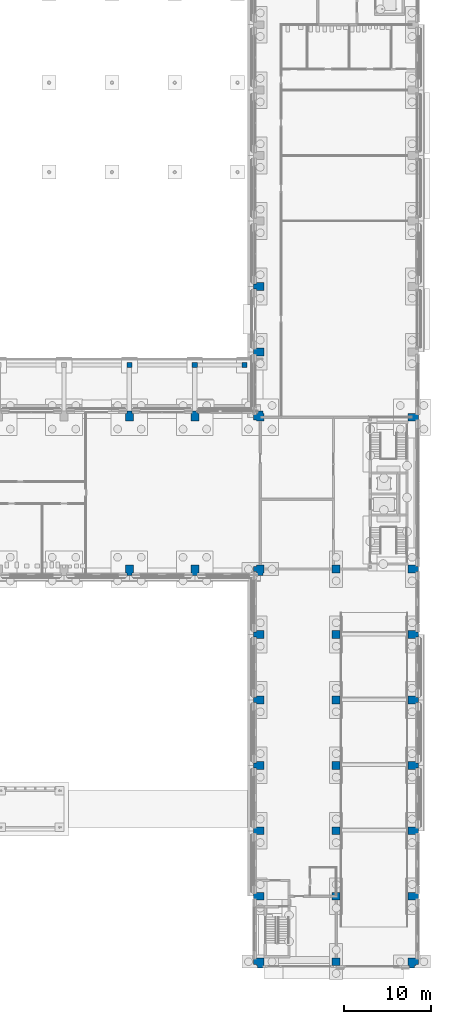
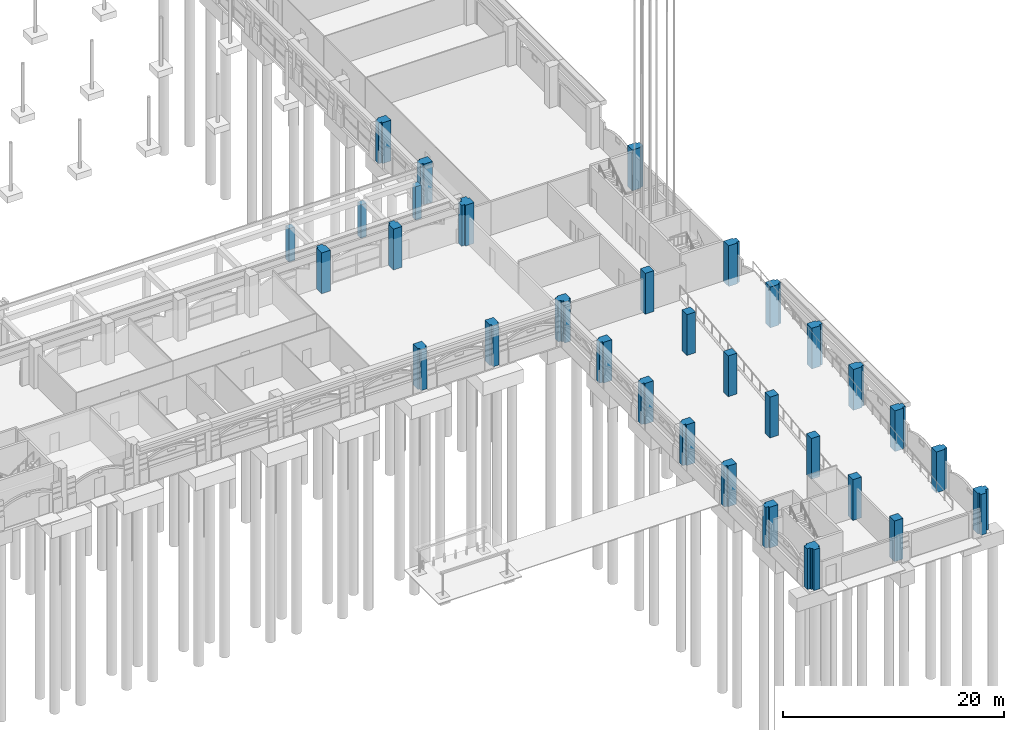
# One storey, part 14 of 99: 32 columns.
"""IFC4 building model written with IfcOpenShell, lengths in metres."""

from ifc_helpers import new_model, si_unit, direction, frame, origin, origin_2d, place, context, subcontext, project, spatial, polyline, rectangle, outline, extrude, material, material_profile, profile_set, type_object, element, save


model = new_model("IFC4")

# Units and contexts
model_context = context("Model", 3, precision=1e-05, world=origin(), true_north=direction((0.0, 1.0)))
body_context = subcontext(model_context, "Body", "Model", "MODEL_VIEW")
ifc_project = project(units=[si_unit("LENGTHUNIT", "METRE"), si_unit("AREAUNIT", "SQUARE_METRE"), si_unit("VOLUMEUNIT", "CUBIC_METRE"), si_unit("PLANEANGLEUNIT", "RADIAN"), si_unit("MASSUNIT", "GRAM", prefix="KILO")], contexts=[model_context])

# Site, building, storey
site_placement = place(None, origin())
site = spatial("IfcSite", under=ifc_project, at=site_placement, CompositionType="ELEMENT")
building_placement = place(site_placement, origin())
building = spatial("IfcBuilding", under=site, at=building_placement, Name="Cour d'Honneur Mobility Palace", CompositionType="ELEMENT")
storey_placement = place(building_placement, origin())
storey = spatial("IfcBuildingStorey", under=building, at=storey_placement, Name="L00", CompositionType="ELEMENT", Elevation=0.0)

# Columns
ifc_material_1 = material(Name="Concrete C50", Category="concrete")
ifc_material_profile_1 = material_profile(ifc_material_1, rectangle(XDim=0.60009765625, YDim=0.60009765625, at=origin_2d()), Name="Arcade column 600x600")
ifc_profile_set_1 = profile_set([ifc_material_profile_1], Name="Concrete C50")
column_type_1 = type_object("IfcColumnType", Name="Arcade column 600x600", PredefinedType="COLUMN", material=ifc_profile_set_1)
for number, where, z_axis, x_axis, name in (
    (1, (129.89990234375, 68.39990234375, -0.300048828125), (0.0, 0.0, 1.0), (1.0, 0.0, 0.0), "Arcade column AC-E5"),
    (2, (137.39990234375, 68.39990234375, -0.300048828125), (0.0, 0.0, 1.0), (1.0, 0.0, 0.0), "Arcade column AC-E6"),
    (3, (143.10009765625, 68.39990234375, -0.300048828125), (0.0, 0.0, 1.0), (1.0, 0.0, 0.0), "Arcade column AC-E7"),
):
    element("IfcColumn", number, at=place(storey_placement, frame(where, z_axis=z_axis, x_axis=x_axis)), inside=storey, type_object=column_type_1, Name=name, PredefinedType="COLUMN", context=body_context, shape_type="SweptSolid", body=[
        extrude(rectangle(XDim=0.60009765625, YDim=0.60009765625, at=origin_2d()), origin(), (0.0, 0.0, 1.0), 3.699951171875),
    ])
ifc_material_2 = material(Name="Concrete C50", Category="concrete")
ifc_material_profile_2 = material_profile(ifc_material_2, outline(polyline([(-0.449951171875, -0.449951171875), (0.449951171875, -0.449951171875), (0.449951171875, -0.300048828125), (0.75, -0.300048828125), (0.75, 0.300048828125), (0.449951171875, 0.300048828125), (0.449951171875, 0.449951171875), (0.300048828125, 0.449951171875), (0.300048828125, 0.75), (-0.300048828125, 0.75), (-0.300048828125, 0.449951171875), (-0.449951171875, 0.449951171875), (-0.449951171875, -0.449951171875)])), Name="PC C900 corner")
ifc_profile_set_2 = profile_set([ifc_material_profile_2], Name="Concrete C50")
column_type_2 = type_object("IfcColumnType", Name="Precast Column 900 corner", PredefinedType="COLUMN", material=ifc_profile_set_2)
for number, where, z_axis, x_axis, name in (
    (4, (144.89990234375, 0.0, 0.0), (0.0, 0.0, 1.0), (-1.0, 0.0, 0.0), "Precast column C1 19/A L00"),
    (5, (162.300048828125, 0.0, 0.0), (0.0, 0.0, 1.0), (0.0, -1.0, 0.0), "Precast column C1 20/A L00"),
    (6, (144.89990234375, 45.0, 0.0), (0.0, 0.0, 1.0), (-1.0, 0.0, 0.0), "Precast column C1 19/G L00"),
    (7, (144.89990234375, 62.39990234375, 0.0), (0.0, 0.0, 1.0), (0.0, 1.0, 0.0), "Precast column C1 19/H L00"),
):
    element("IfcColumn", number, at=place(storey_placement, frame(where, z_axis=z_axis, x_axis=x_axis)), inside=storey, type_object=column_type_2, Name=name, PredefinedType="COLUMN", context=body_context, shape_type="SweptSolid", body=[
        extrude(outline(polyline([(-0.449951171875, -0.449951171875), (0.449951171875, -0.449951171875), (0.449951171875, -0.300048828125), (0.75, -0.300048828125), (0.75, 0.300048828125), (0.449951171875, 0.300048828125), (0.449951171875, 0.449951171875), (0.300048828125, 0.449951171875), (0.300048828125, 0.75), (-0.300048828125, 0.75), (-0.300048828125, 0.449951171875), (-0.449951171875, 0.449951171875), (-0.449951171875, -0.449951171875)])), origin(), (0.0, 0.0, 1.0), 4.5),
    ])
ifc_material_3 = material(Name="Concrete C50", Category="concrete")
ifc_material_profile_3 = material_profile(ifc_material_3, outline(polyline([(-0.449951171875, -0.449951171875), (0.449951171875, -0.449951171875), (0.449951171875, -0.300048828125), (0.75, -0.300048828125), (0.75, 0.300048828125), (0.449951171875, 0.300048828125), (0.449951171875, 0.449951171875), (-0.449951171875, 0.449951171875), (-0.449951171875, -0.449951171875)])), Name="PC C900 pilaster")
ifc_profile_set_3 = profile_set([ifc_material_profile_3], Name="Concrete C50")
column_type_3 = type_object("IfcColumnType", Name="Precast Column 900 pilaster", PredefinedType="COLUMN", material=ifc_profile_set_3)
for number, where, z_axis, x_axis, name in (
    (8, (144.89990234375, 7.5, 0.0), (0.0, 0.0, 1.0), (-1.0, 0.0, 0.0), "Precast column C3 19/B L00"),
    (9, (162.300048828125, 7.5, 0.0), (0.0, 0.0, 1.0), (1.0, 0.0, 0.0), "Precast column C3 20/B L00"),
    (10, (144.89990234375, 15.0, 0.0), (0.0, 0.0, 1.0), (-1.0, 0.0, 0.0), "Precast column C3 19/C L00"),
    (11, (162.300048828125, 15.0, 0.0), (0.0, 0.0, 1.0), (1.0, 0.0, 0.0), "Precast column C3 20/C L00"),
    (12, (144.89990234375, 22.5, 0.0), (0.0, 0.0, 1.0), (-1.0, 0.0, 0.0), "Precast column C3 19/D L00"),
    (13, (162.300048828125, 22.5, 0.0), (0.0, 0.0, 1.0), (1.0, 0.0, 0.0), "Precast column C3 20/D L00"),
    (14, (144.89990234375, 30.0, 0.0), (0.0, 0.0, 1.0), (-1.0, 0.0, 0.0), "Precast column C3 19/E L00"),
    (15, (162.300048828125, 30.0, 0.0), (0.0, 0.0, 1.0), (1.0, 0.0, 0.0), "Precast column C3 20/E L00"),
    (16, (144.89990234375, 37.5, 0.0), (0.0, 0.0, 1.0), (-1.0, 0.0, 0.0), "Precast column C3 19/F L00"),
    (17, (162.300048828125, 37.5, 0.0), (0.0, 0.0, 1.0), (1.0, 0.0, 0.0), "Precast column C3 20/F L00"),
    (18, (129.89990234375, 45.0, 0.0), (0.0, 0.0, 1.0), (0.0, -1.0, 0.0), "Precast column C3 17/G L00"),
    (19, (137.39990234375, 45.0, 0.0), (0.0, 0.0, 1.0), (0.0, -1.0, 0.0), "Precast column C3 18/G L00"),
    (20, (162.300048828125, 45.0, 0.0), (0.0, 0.0, 1.0), (1.0, 0.0, 0.0), "Precast column C3 20/G L00"),
    (21, (129.89990234375, 62.39990234375, 0.0), (0.0, 0.0, 1.0), (0.0, 1.0, 0.0), "Precast column C3 17/H L00"),
    (22, (137.39990234375, 62.39990234375, 0.0), (0.0, 0.0, 1.0), (0.0, 1.0, 0.0), "Precast column C3 18/H L00"),
    (23, (162.300048828125, 62.39990234375, 0.0), (0.0, 0.0, 1.0), (1.0, 0.0, 0.0), "Precast column C3 20/H L00"),
    (24, (144.89990234375, 69.89990234375, 0.0), (0.0, 0.0, 1.0), (-1.0, 0.0, 0.0), "Precast column C3 19/J L00"),
    (25, (144.89990234375, 77.39990234375, 0.0), (0.0, 0.0, 1.0), (-1.0, 0.0, 0.0), "Precast column C3 19/K L00"),
):
    element("IfcColumn", number, at=place(storey_placement, frame(where, z_axis=z_axis, x_axis=x_axis)), inside=storey, type_object=column_type_3, Name=name, PredefinedType="COLUMN", context=body_context, shape_type="SweptSolid", body=[
        extrude(outline(polyline([(-0.449951171875, -0.449951171875), (0.449951171875, -0.449951171875), (0.449951171875, -0.300048828125), (0.75, -0.300048828125), (0.75, 0.300048828125), (0.449951171875, 0.300048828125), (0.449951171875, 0.449951171875), (-0.449951171875, 0.449951171875), (-0.449951171875, -0.449951171875)])), origin(), (0.0, 0.0, 1.0), 4.5),
    ])
ifc_material_4 = material(Name="Concrete C50", Category="concrete")
ifc_material_profile_4 = material_profile(ifc_material_4, outline(polyline([(-0.449951171875, -0.449951171875), (0.449951171875, -0.449951171875), (0.449951171875, 0.449951171875), (-0.449951171875, 0.449951171875), (-0.449951171875, -0.449951171875)])), Name="PC C900 plain")
ifc_profile_set_4 = profile_set([ifc_material_profile_4], Name="Concrete C50")
column_type_4 = type_object("IfcColumnType", Name="Precast Column 900 plain", PredefinedType="COLUMN", material=ifc_profile_set_4)
for number, where, z_axis, x_axis, name in (
    (26, (153.60009765625, 0.0, 0.0), (0.0, 0.0, 1.0), (1.0, 0.0, 0.0), "Precast column C2 19A/A L00"),
    (27, (153.60009765625, 7.5, 0.0), (0.0, 0.0, 1.0), (1.0, 0.0, 0.0), "Precast column C2 19A/B L00"),
    (28, (153.60009765625, 15.0, 0.0), (0.0, 0.0, 1.0), (1.0, 0.0, 0.0), "Precast column C2 19A/C L00"),
    (29, (153.60009765625, 22.5, 0.0), (0.0, 0.0, 1.0), (1.0, 0.0, 0.0), "Precast column C2 19A/D L00"),
    (30, (153.60009765625, 30.0, 0.0), (0.0, 0.0, 1.0), (1.0, 0.0, 0.0), "Precast column C2 19A/E L00"),
    (31, (153.60009765625, 37.5, 0.0), (0.0, 0.0, 1.0), (1.0, 0.0, 0.0), "Precast column C2 19A/F L00"),
    (32, (153.60009765625, 45.0, 0.0), (0.0, 0.0, 1.0), (1.0, 0.0, 0.0), "Precast column C2 19A/G L00"),
):
    element("IfcColumn", number, at=place(storey_placement, frame(where, z_axis=z_axis, x_axis=x_axis)), inside=storey, type_object=column_type_4, Name=name, PredefinedType="COLUMN", context=body_context, shape_type="SweptSolid", body=[
        extrude(outline(polyline([(-0.449951171875, -0.449951171875), (0.449951171875, -0.449951171875), (0.449951171875, 0.449951171875), (-0.449951171875, 0.449951171875), (-0.449951171875, -0.449951171875)])), origin(), (0.0, 0.0, 1.0), 4.5),
    ])

save(model, "model.ifc")
